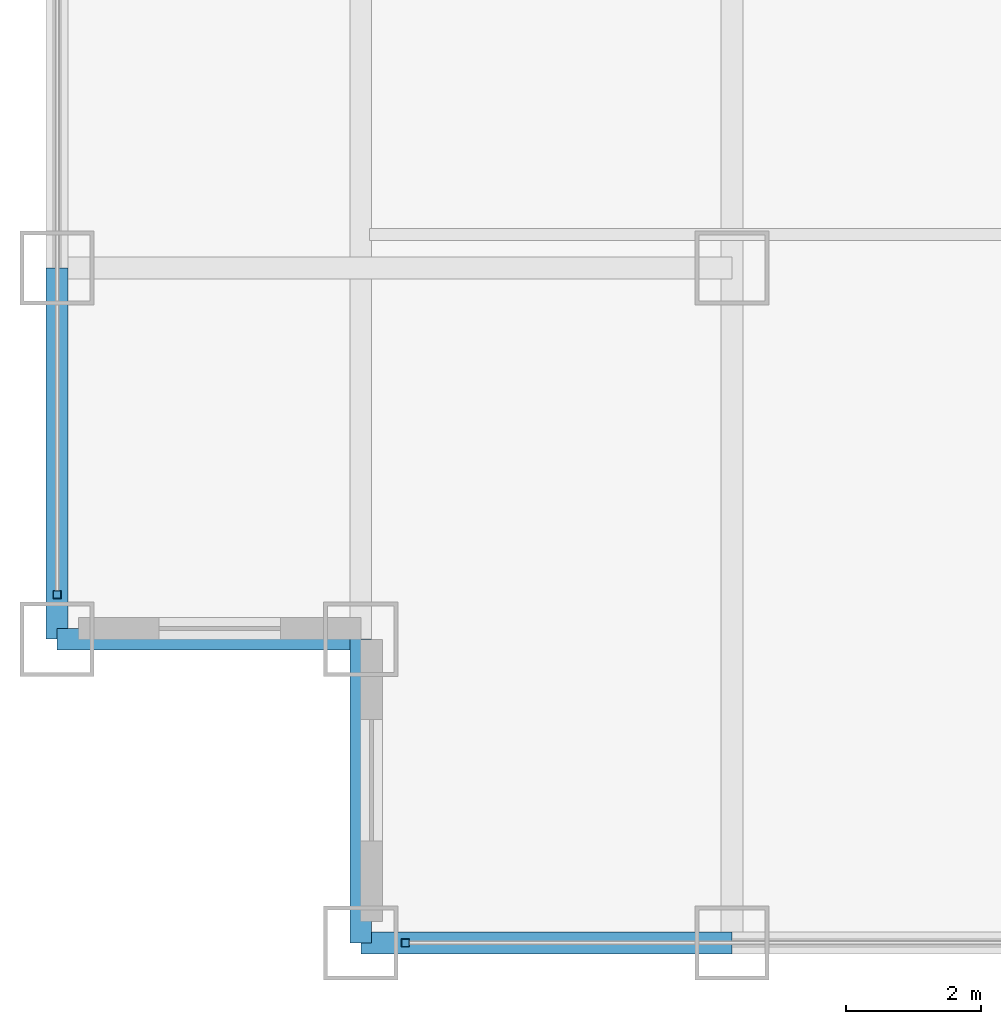
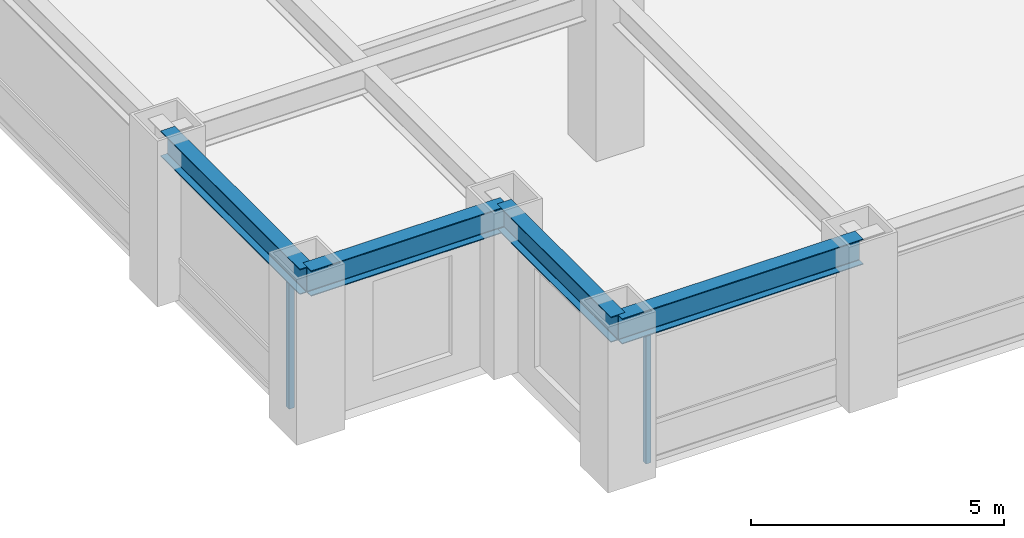
# One storey, part 2 of 24: 4 beams, 2 members, 2 elements without a shape of their own.
"""IFC4 building model written with IfcOpenShell, lengths in metres."""

from ifc_helpers import new_model, si_unit, direction, frame, origin, origin_2d, place, context, subcontext, project, spatial, hollow_rectangle, i_section, extrude, source, transform, mapped, material, material_profile, profile_set, type_object, element, aggregate, save


model = new_model("IFC4")

# Units and contexts
model_context = context("Model", 3, precision=1e-05, world=origin(), true_north=direction((0.0, 1.0)))
body_context = subcontext(model_context, "Body", "Model", "MODEL_VIEW")
ifc_project = project(units=[si_unit("LENGTHUNIT", "METRE"), si_unit("AREAUNIT", "SQUARE_METRE"), si_unit("VOLUMEUNIT", "CUBIC_METRE"), si_unit("PLANEANGLEUNIT", "RADIAN"), si_unit("MASSUNIT", "GRAM", prefix="KILO")], contexts=[model_context])

# Site, building, storey
site_placement = place(None, origin())
site = spatial("IfcSite", under=ifc_project, at=site_placement, CompositionType="ELEMENT")
building_placement = place(site_placement, origin())
building = spatial("IfcBuilding", under=site, at=building_placement, Name="Khorayat Bourse Tower", CompositionType="ELEMENT")
storey_placement = place(building_placement, frame((0.0, 0.0, 159.10009765625)))
storey = spatial("IfcBuildingStorey", under=building, at=storey_placement, Name="L36", CompositionType="ELEMENT", Elevation=159.10009765625)

# Beams
ifc_material_1 = material(Name="Steel ASTM A992 Grade 50", Category="steel")
ifc_material_profile_1 = material_profile(ifc_material_1, i_section(OverallWidth=0.324951171875, OverallDepth=0.615966796875, WebThickness=0.013916015625, FlangeThickness=0.021484375, FilletRadius=0.01611328125, at=origin_2d()), Name="W610X174")
ifc_profile_set_1 = profile_set([ifc_material_profile_1], Name="Steel ASTM A992 Grade 50")
beam_type = type_object("IfcBeamType", Name="BM-SPAN-610", PredefinedType="SPANDREL", material=ifc_profile_set_1)
shared_shape_1 = source(origin(), body_context, "Body", "SweptSolid", [
    extrude(i_section(OverallWidth=0.324951171875, OverallDepth=0.615966796875, WebThickness=0.013916015625, FlangeThickness=0.021484375, FilletRadius=0.01611328125, at=origin_2d()), origin(), (0.0, 0.0, 1.0), 5.5),
])
for number, where, z_axis, x_axis, name in (
    (1, (-25.5, -30.0, 3.471923828125), (1.0, 0.0, 0.0), (0.0, 1.0, 0.0), "L36 BM-SPAN-610 BM-L36-SPN-024"),
    (2, (-30.0, -25.5, 3.471923828125), (0.0, 1.0, 0.0), (-1.0, 0.0, 0.0), "L36 BM-SPAN-610 BM-L36-SPN-061"),
):
    element("IfcBeam", number, at=place(storey_placement, frame(where, z_axis=z_axis, x_axis=x_axis)), inside=storey, type_object=beam_type, Name=name, PredefinedType="SPANDREL", context=body_context, shape_type="MappedRepresentation", body=[
        mapped(shared_shape_1, transform((0.0, 0.0, 0.0), scale=1.0)),
    ])
shared_shape_2 = source(origin(), body_context, "Body", "SweptSolid", [
    extrude(i_section(OverallWidth=0.324951171875, OverallDepth=0.615966796875, WebThickness=0.013916015625, FlangeThickness=0.021484375, FilletRadius=0.01611328125, at=origin_2d()), origin(), (0.0, 0.0, 1.0), 4.5),
])
for number, where, z_axis, x_axis, name in (
    (3, (-30.0, -25.5, 3.471923828125), (1.0, 0.0, 0.0), (0.0, 1.0, 0.0), "L36 BM-SPAN-610 BM-L36-SPN-062"),
    (4, (-25.5, -30.0, 3.471923828125), (0.0, 1.0, 0.0), (-1.0, 0.0, 0.0), "L36 BM-SPAN-610 BM-L36-SPN-063"),
):
    element("IfcBeam", number, at=place(storey_placement, frame(where, z_axis=z_axis, x_axis=x_axis)), inside=storey, type_object=beam_type, Name=name, PredefinedType="SPANDREL", context=body_context, shape_type="MappedRepresentation", body=[
        mapped(shared_shape_2, transform((0.0, 0.0, 0.0), scale=1.0)),
    ])

# Curtain wall, member
ifc_material_2 = material(Name="Aluminium EN AW-6063 T6", Category="aluminium")
curtain_wall_type = type_object("IfcCurtainWallType", Name="CW-SYS-03", PredefinedType="NOTDEFINED", material=ifc_material_2)
curtain_wall_1_placement = place(storey_placement, origin())
curtain_wall_1 = element("IfcCurtainWall", 5, at=curtain_wall_1_placement, inside=storey, type_object=curtain_wall_type, Name="L36 Curtain Wall CW-L36-S1", PredefinedType="NOTDEFINED")
ifc_material_profile_2 = material_profile(ifc_material_2, hollow_rectangle(XDim=0.1201171875, YDim=0.1201171875, WallThickness=0.0048828125, at=origin_2d()), Name="ALU 120x120x5")
ifc_profile_set_2 = profile_set([ifc_material_profile_2], Name="Aluminium EN AW-6063 T6")
member_type = type_object("IfcMemberType", Name="CWM-VERT-120", PredefinedType="MULLION", material=ifc_profile_set_2)
shared_shape_3 = source(origin(), body_context, "Body", "SweptSolid", [
    extrude(hollow_rectangle(XDim=0.1201171875, YDim=0.1201171875, WallThickness=0.0048828125, at=origin_2d()), origin(), (0.0, 0.0, 1.0), 3.1298828125),
])
member_1_placement = place(storey_placement, frame((-24.840087890625, -30.0, 0.0), z_axis=(0.0, 0.0, 1.0), x_axis=(0.0, 1.0, 0.0)))
member_1 = element("IfcMember", 6, at=member_1_placement, type_object=member_type, Name="CW-L36-S1 Vertical Mullion 1", PredefinedType="MULLION", context=body_context, shape_type="MappedRepresentation", body=[
    mapped(shared_shape_3, transform((0.0, 0.0, 0.0), scale=1.0)),
])
aggregate(curtain_wall_1, [member_1])

curtain_wall_2_placement = place(storey_placement, origin())
curtain_wall_2 = element("IfcCurtainWall", 7, at=curtain_wall_2_placement, inside=storey, type_object=curtain_wall_type, Name="L36 Curtain Wall CW-L36-W1", PredefinedType="NOTDEFINED")
member_2_placement = place(storey_placement, frame((-30.0, -24.840087890625, 0.0), z_axis=(0.0, 0.0, 1.0), x_axis=(-1.0, 0.0, 0.0)))
member_2 = element("IfcMember", 8, at=member_2_placement, type_object=member_type, Name="CW-L36-W1 Vertical Mullion 1", PredefinedType="MULLION", context=body_context, shape_type="MappedRepresentation", body=[
    mapped(shared_shape_3, transform((0.0, 0.0, 0.0), scale=1.0)),
])
aggregate(curtain_wall_2, [member_2])

save(model, "model.ifc")
